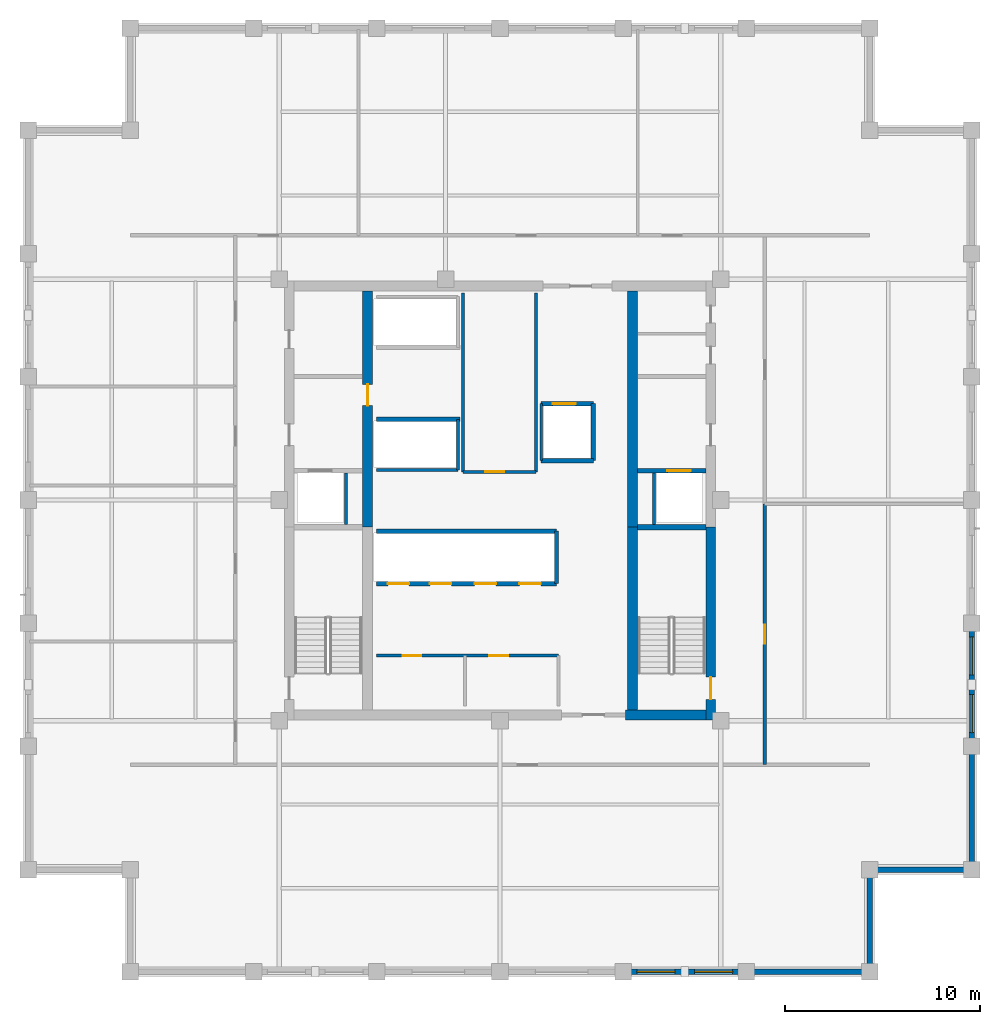
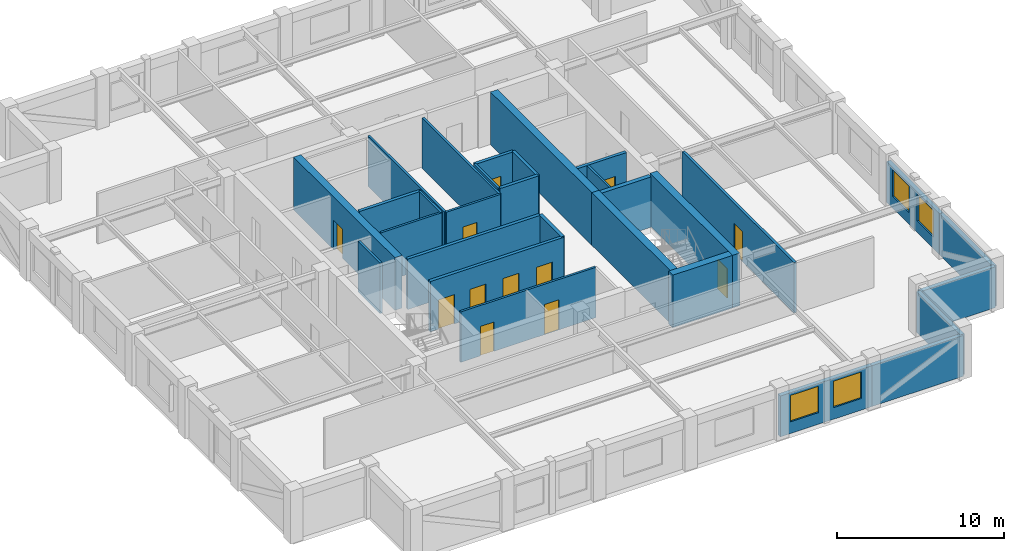
# One storey, part 6 of 9: 30 walls, 12 doors, 4 windows, 16 openings.
"""IFC4 building model written with IfcOpenShell, lengths in metres."""

from ifc_helpers import new_model, si_unit, direction, frame, frame_2d, origin, place, context, subcontext, project, spatial, rectangle, extrude, material, layer, layer_set, type_object, element, fill, save


model = new_model("IFC4")

# Units and contexts
model_context = context("Model", 3, precision=1e-05, world=origin(), true_north=direction((0.0, 1.0)))
body_context = subcontext(model_context, "Body", "Model", "MODEL_VIEW")
ifc_project = project(units=[si_unit("LENGTHUNIT", "METRE"), si_unit("AREAUNIT", "SQUARE_METRE"), si_unit("VOLUMEUNIT", "CUBIC_METRE"), si_unit("PLANEANGLEUNIT", "RADIAN"), si_unit("MASSUNIT", "GRAM", prefix="KILO")], contexts=[model_context])

# Site, building, storey
site_placement = place(None, origin())
site = spatial("IfcSite", under=ifc_project, at=site_placement, CompositionType="ELEMENT")
building_placement = place(site_placement, origin())
building = spatial("IfcBuilding", under=site, at=building_placement, Name="Nhamokura Convention Tower", CompositionType="ELEMENT")
storey_placement = place(building_placement, frame((0.0, 0.0, 190.75)))
storey = spatial("IfcBuildingStorey", under=building, at=storey_placement, Name="L46", CompositionType="ELEMENT", Elevation=190.75)

# Wall, openings, windows
ifc_material_1 = material(Name="Bronze-pigmented precast concrete C45/55", Category="concrete")
ifc_layer_1 = layer(ifc_material_1, 0.280029296875)
ifc_layer_set_1 = layer_set([ifc_layer_1], Name="BronzePrecastSpandrel_280")
wall_type_1 = type_object("IfcWallType", Name="BronzePrecastSpandrel_280", PredefinedType="USERDEFINED", material=ifc_layer_set_1)
wall_1_placement = place(storey_placement, frame((44.666748046875, 7.75, 0.0), z_axis=(0.0, 0.0, 1.0), x_axis=(-1.0, 0.0, 0.0)))
wall_1 = element("IfcWall", 1, at=wall_1_placement, inside=storey, type_object=wall_type_1, Name="L46 Masonry-Frame Wall SOUTH 4", ObjectType="SPANDREL_WALL", PredefinedType="USERDEFINED", context=body_context, shape_type="SweptSolid", body=[
    extrude(rectangle(XDim=6.33349609375, YDim=0.280029296875, at=frame_2d((3.166748046875, 0.0))), origin(), (0.0, 0.0, 1.0), 2.985107421875),
])
opening_1_placement = place(wall_1_placement, frame((0.708251953125, 0.0, 0.85009765625)))
opening_1 = element("IfcOpeningElement", 2, at=opening_1_placement, cuts=wall_1, Name="Opening W-08", PredefinedType="OPENING", context=body_context, shape_type="SweptSolid", body=[
    extrude(rectangle(XDim=1.949951171875, YDim=1.93505859375, at=frame_2d((0.97509765625, 0.967529296875))), frame((0.0, 0.14990234375, 0.0), z_axis=(0.0, -1.0, 0.0), x_axis=(1.0, 0.0, 0.0)), (0.0, 0.0, 1.0), 0.300048828125),
])
opening_2_placement = place(wall_1_placement, frame((3.675048828125, 0.0, 0.85009765625)))
opening_2 = element("IfcOpeningElement", 3, at=opening_2_placement, cuts=wall_1, Name="Opening W-08", PredefinedType="OPENING", context=body_context, shape_type="SweptSolid", body=[
    extrude(rectangle(XDim=1.949951171875, YDim=1.93505859375, at=frame_2d((0.97509765625, 0.967529296875))), frame((0.0, 0.14990234375, 0.0), z_axis=(0.0, -1.0, 0.0), x_axis=(1.0, 0.0, 0.0)), (0.0, 0.0, 1.0), 0.300048828125),
])
ifc_material_2 = material(Name="Solar-control bronze low-E double glass", Category="glass")
window_type = type_object("IfcWindowType", Name="OfficeModuleWindow_Z3_1950", PartitioningType="SINGLE_PANEL", PredefinedType="WINDOW", material=ifc_material_2)
window_1_placement = place(opening_1_placement, origin())
window_1 = element("IfcWindow", 4, at=window_1_placement, inside=storey, type_object=window_type, Name="L46 Facade Window SOUTH 4-1", OverallHeight=1.93505859375, OverallWidth=1.949951171875, PartitioningType="SINGLE_PANEL", PredefinedType="WINDOW", context=body_context, shape_type="SweptSolid", body=[
    extrude(rectangle(XDim=1.949951171875, YDim=1.93505859375, at=frame_2d((0.97509765625, 0.967529296875))), frame((0.0, 0.030029296875, 0.0), z_axis=(0.0, -1.0, 0.0), x_axis=(1.0, 0.0, 0.0)), (0.0, 0.0, 1.0), 0.06005859375),
])
fill(opening_1, window_1)
window_2_placement = place(opening_2_placement, origin())
window_2 = element("IfcWindow", 5, at=window_2_placement, inside=storey, type_object=window_type, Name="L46 Facade Window SOUTH 4-2", OverallHeight=1.93505859375, OverallWidth=1.949951171875, PartitioningType="SINGLE_PANEL", PredefinedType="WINDOW", context=body_context, shape_type="SweptSolid", body=[
    extrude(rectangle(XDim=1.949951171875, YDim=1.93505859375, at=frame_2d((0.97509765625, 0.967529296875))), frame((0.0, 0.030029296875, 0.0), z_axis=(0.0, -1.0, 0.0), x_axis=(1.0, 0.0, 0.0)), (0.0, 0.0, 1.0), 0.06005859375),
])
fill(opening_2, window_2)

# Walls
for number, where, z_axis, x_axis, name in (
    (6, (51.0, 7.75, 0.0), (0.0, 0.0, 1.0), (-1.0, 0.0, 0.0), "L46 Braced-Bay Precast Wall SOUTH 5"),
    (7, (56.25, 19.333251953125, 0.0), (0.0, 0.0, 1.0), (0.0, -1.0, 0.0), "L46 Braced-Bay Precast Wall EAST 0"),
):
    element("IfcWall", number, at=place(storey_placement, frame(where, z_axis=z_axis, x_axis=x_axis)), inside=storey, type_object=wall_type_1, Name=name, ObjectType="SPANDREL_WALL", PredefinedType="USERDEFINED", context=body_context, shape_type="SweptSolid", body=[
        extrude(rectangle(XDim=6.333251953125, YDim=0.280029296875, at=frame_2d((3.16650390625, 0.0))), origin(), (0.0, 0.0, 1.0), 2.985107421875),
    ])

# Wall, openings, windows
wall_2_placement = place(storey_placement, frame((56.25, 25.666748046875, 0.0), z_axis=(0.0, 0.0, 1.0), x_axis=(0.0, -1.0, 0.0)))
wall_2 = element("IfcWall", 8, at=wall_2_placement, inside=storey, type_object=wall_type_1, Name="L46 Masonry-Frame Wall EAST 1", ObjectType="SPANDREL_WALL", PredefinedType="USERDEFINED", context=body_context, shape_type="SweptSolid", body=[
    extrude(rectangle(XDim=6.33349609375, YDim=0.280029296875, at=frame_2d((3.166748046875, 0.0))), origin(), (0.0, 0.0, 1.0), 2.985107421875),
])
opening_3_placement = place(wall_2_placement, frame((0.708251953125, 0.0, 0.85009765625)))
opening_3 = element("IfcOpeningElement", 9, at=opening_3_placement, cuts=wall_2, Name="Opening W-08", PredefinedType="OPENING", context=body_context, shape_type="SweptSolid", body=[
    extrude(rectangle(XDim=1.949951171875, YDim=1.93505859375, at=frame_2d((0.97509765625, 0.967529296875))), frame((0.0, 0.14990234375, 0.0), z_axis=(0.0, -1.0, 0.0), x_axis=(1.0, 0.0, 0.0)), (0.0, 0.0, 1.0), 0.300048828125),
])
opening_4_placement = place(wall_2_placement, frame((3.675048828125, 0.0, 0.85009765625)))
opening_4 = element("IfcOpeningElement", 10, at=opening_4_placement, cuts=wall_2, Name="Opening W-08", PredefinedType="OPENING", context=body_context, shape_type="SweptSolid", body=[
    extrude(rectangle(XDim=1.949951171875, YDim=1.93505859375, at=frame_2d((0.97509765625, 0.967529296875))), frame((0.0, 0.14990234375, 0.0), z_axis=(0.0, -1.0, 0.0), x_axis=(1.0, 0.0, 0.0)), (0.0, 0.0, 1.0), 0.300048828125),
])
window_3_placement = place(opening_3_placement, origin())
window_3 = element("IfcWindow", 11, at=window_3_placement, inside=storey, type_object=window_type, Name="L46 Facade Window EAST 1-1", OverallHeight=1.93505859375, OverallWidth=1.949951171875, PartitioningType="SINGLE_PANEL", PredefinedType="WINDOW", context=body_context, shape_type="SweptSolid", body=[
    extrude(rectangle(XDim=1.949951171875, YDim=1.93505859375, at=frame_2d((0.97509765625, 0.967529296875))), frame((0.0, 0.030029296875, 0.0), z_axis=(0.0, -1.0, 0.0), x_axis=(1.0, 0.0, 0.0)), (0.0, 0.0, 1.0), 0.06005859375),
])
fill(opening_3, window_3)
window_4_placement = place(opening_4_placement, origin())
window_4 = element("IfcWindow", 12, at=window_4_placement, inside=storey, type_object=window_type, Name="L46 Facade Window EAST 1-2", OverallHeight=1.93505859375, OverallWidth=1.949951171875, PartitioningType="SINGLE_PANEL", PredefinedType="WINDOW", context=body_context, shape_type="SweptSolid", body=[
    extrude(rectangle(XDim=1.949951171875, YDim=1.93505859375, at=frame_2d((0.97509765625, 0.967529296875))), frame((0.0, 0.030029296875, 0.0), z_axis=(0.0, -1.0, 0.0), x_axis=(1.0, 0.0, 0.0)), (0.0, 0.0, 1.0), 0.06005859375),
])
fill(opening_4, window_4)

# Walls
for number, where, z_axis, x_axis, name in (
    (13, (51.0, 13.0, 0.0), (0.0, 0.0, 1.0), (0.0, -1.0, 0.0), "L46 Notched Corner Wall SE1"),
    (14, (56.25, 13.0, 0.0), (0.0, 0.0, 1.0), (-1.0, 0.0, 0.0), "L46 Notched Corner Wall SE2"),
):
    element("IfcWall", number, at=place(storey_placement, frame(where, z_axis=z_axis, x_axis=x_axis)), inside=storey, type_object=wall_type_1, Name=name, ObjectType="SPANDREL_WALL", PredefinedType="USERDEFINED", context=body_context, shape_type="SweptSolid", body=[
        extrude(rectangle(XDim=5.25, YDim=0.280029296875, at=frame_2d((2.625, 0.0))), origin(), (0.0, 0.0, 1.0), 2.985107421875),
    ])

# Wall, opening, door
ifc_material_3 = material(Name="Concrete C60/75", Category="concrete")
ifc_layer_2 = layer(ifc_material_3, 0.5)
ifc_layer_set_2 = layer_set([ifc_layer_2], Name="CoreShearWall_500")
wall_type_2 = type_object("IfcWallType", Name="CoreShearWall_500", PredefinedType="SHEAR", material=ifc_layer_set_2)
wall_3_placement = place(storey_placement, frame((42.840087890625, 20.699951171875, 0.0), z_axis=(0.0, 0.0, 1.0), x_axis=(0.0, 1.0, 0.0)))
wall_3 = element("IfcWall", 15, at=wall_3_placement, inside=storey, type_object=wall_type_2, Name="L46 Core Shear Wall CW-ES", PredefinedType="SHEAR", context=body_context, shape_type="SweptSolid", body=[
    extrude(rectangle(XDim=9.900146484375, YDim=0.5, at=frame_2d((4.9501953125, 0.0))), origin(), (0.0, 0.0, 1.0), 3.85009765625),
])
opening_5_placement = place(wall_3_placement, frame((1.050048828125, 0.0, 0.0)))
opening_5 = element("IfcOpeningElement", 16, at=opening_5_placement, cuts=wall_3, Name="Opening D-04", PredefinedType="OPENING", context=body_context, shape_type="SweptSolid", body=[
    extrude(rectangle(XDim=1.14990234375, YDim=2.14990234375, at=frame_2d((0.574951171875, 1.074951171875))), frame((0.0, 0.260009765625, 0.0), z_axis=(0.0, -1.0, 0.0), x_axis=(1.0, 0.0, 0.0)), (0.0, 0.0, 1.0), 0.52001953125),
])
ifc_material_4 = material(Name="Fire-rated steel door", Category="steel")
door_type_1 = type_object("IfcDoorType", Name="StairSmokeDoor_1150", OperationType="NOTDEFINED", PredefinedType="DOOR", material=ifc_material_4)
door_1_placement = place(opening_5_placement, origin())
door_1 = element("IfcDoor", 17, at=door_1_placement, inside=storey, type_object=door_type_1, Name="L46 Core Door INT-L46-D-ST02", OperationType="SINGLE_SWING_RIGHT", OverallHeight=2.14990234375, OverallWidth=1.14990234375, PredefinedType="DOOR", context=body_context, shape_type="SweptSolid", body=[
    extrude(rectangle(XDim=1.14990234375, YDim=2.14990234375, at=frame_2d((0.574951171875, 1.074951171875))), frame((0.0, 0.02490234375, 0.0), z_axis=(0.0, -1.0, 0.0), x_axis=(1.0, 0.0, 0.0)), (0.0, 0.0, 1.0), 0.050048828125),
])
fill(opening_5, door_1)

# Wall
wall_4_placement = place(storey_placement, frame((38.449951171875, 20.949951171875, 0.0), z_axis=(0.0, 0.0, 1.0), x_axis=(1.0, 0.0, 0.0)))
element("IfcWall", 18, at=wall_4_placement, inside=storey, type_object=wall_type_2, Name="L46 Core Shear Wall CW-S2", PredefinedType="SHEAR", context=body_context, shape_type="SweptSolid", body=[
    extrude(rectangle(XDim=4.14013671875, YDim=0.5, at=frame_2d((2.070068359375, 0.0))), origin(), (0.0, 0.0, 1.0), 3.85009765625),
])

# Wall, opening, door
wall_5_placement = place(storey_placement, frame((25.18994140625, 30.60009765625, 0.0), z_axis=(0.0, 0.0, 1.0), x_axis=(0.0, 1.0, 0.0)))
wall_5 = element("IfcWall", 19, at=wall_5_placement, inside=storey, type_object=wall_type_2, Name="L46 Core Shear Wall CW-IWN", PredefinedType="SHEAR", context=body_context, shape_type="SweptSolid", body=[
    extrude(rectangle(XDim=12.14990234375, YDim=0.5, at=frame_2d((6.074951171875, 0.0))), origin(), (0.0, 0.0, 1.0), 3.85009765625),
])
opening_6_placement = place(wall_5_placement, frame((6.25, 0.0, 0.0)))
opening_6 = element("IfcOpeningElement", 20, at=opening_6_placement, cuts=wall_5, Name="Opening D-05", PredefinedType="OPENING", context=body_context, shape_type="SweptSolid", body=[
    extrude(rectangle(XDim=1.10009765625, YDim=2.14990234375, at=frame_2d((0.550048828125, 1.074951171875))), frame((0.0, 0.260009765625, 0.0), z_axis=(0.0, -1.0, 0.0), x_axis=(1.0, 0.0, 0.0)), (0.0, 0.0, 1.0), 0.52001953125),
])
ifc_material_5 = material(Name="Fire-rated steel door", Category="steel")
door_type_2 = type_object("IfcDoorType", Name="FireLobbyDoor_1100", OperationType="NOTDEFINED", PredefinedType="DOOR", material=ifc_material_5)
door_2_placement = place(opening_6_placement, origin())
door_2 = element("IfcDoor", 21, at=door_2_placement, inside=storey, type_object=door_type_2, Name="L46 Core Door INT-L46-D-B3LOB", OperationType="SINGLE_SWING_LEFT", OverallHeight=2.14990234375, OverallWidth=1.10009765625, PredefinedType="DOOR", context=body_context, shape_type="SweptSolid", body=[
    extrude(rectangle(XDim=1.10009765625, YDim=2.14990234375, at=frame_2d((0.550048828125, 1.074951171875))), frame((0.0, 0.02490234375, 0.0), z_axis=(0.0, -1.0, 0.0), x_axis=(1.0, 0.0, 0.0)), (0.0, 0.0, 1.0), 0.050048828125),
])
fill(opening_6, door_2)

# Walls
wall_6_placement = place(storey_placement, frame((38.81005859375, 21.199951171875, 0.0), z_axis=(0.0, 0.0, 1.0), x_axis=(0.0, 1.0, 0.0)))
element("IfcWall", 22, at=wall_6_placement, inside=storey, type_object=wall_type_2, Name="L46 Core Shear Wall CW-IES", PredefinedType="SHEAR", context=body_context, shape_type="SweptSolid", body=[
    extrude(rectangle(XDim=9.400146484375, YDim=0.5, at=frame_2d((4.7001953125, 0.0))), origin(), (0.0, 0.0, 1.0), 3.85009765625),
])
wall_7_placement = place(storey_placement, frame((38.81005859375, 30.60009765625, 0.0), z_axis=(0.0, 0.0, 1.0), x_axis=(0.0, 1.0, 0.0)))
element("IfcWall", 23, at=wall_7_placement, inside=storey, type_object=wall_type_2, Name="L46 Core Shear Wall CW-IEN", PredefinedType="SHEAR", context=body_context, shape_type="SweptSolid", body=[
    extrude(rectangle(XDim=12.14990234375, YDim=0.5, at=frame_2d((6.074951171875, 0.0))), origin(), (0.0, 0.0, 1.0), 3.85009765625),
])

# Wall, opening, door
ifc_material_6 = material(Name="Fire-rated gypsum and masonry partition", Category="masonry")
ifc_layer_3 = layer(ifc_material_6, 0.179931640625)
ifc_layer_set_3 = layer_set([ifc_layer_3], Name="CorridorRatedWall_180")
wall_type_3 = type_object("IfcWallType", Name="CorridorRatedWall_180", PredefinedType="STANDARD", material=ifc_layer_set_3)
wall_8_placement = place(storey_placement, frame((45.60009765625, 18.39990234375, 0.0), z_axis=(0.0, 0.0, 1.0), x_axis=(0.0, 1.0, 0.0)))
wall_8 = element("IfcWall", 24, at=wall_8_placement, inside=storey, type_object=wall_type_3, Name="L46 Wall INT-L46-CW-E00", PredefinedType="STANDARD", context=body_context, shape_type="SweptSolid", body=[
    extrude(rectangle(XDim=13.400146484375, YDim=0.179931640625, at=frame_2d((6.7001953125, 0.0))), origin(), (0.0, 0.0, 1.0), 3.68505859375),
])
opening_7_placement = place(wall_8_placement, frame((6.199951171875, 0.0, 0.0)))
opening_7 = element("IfcOpeningElement", 25, at=opening_7_placement, cuts=wall_8, Name="Opening D-08", PredefinedType="OPENING", context=body_context, shape_type="SweptSolid", body=[
    extrude(rectangle(XDim=0.97998046875, YDim=2.199951171875, at=frame_2d((0.489990234375, 1.10009765625))), frame((0.0, 0.099853515625, 0.0), z_axis=(0.0, -1.0, 0.0), x_axis=(1.0, 0.0, 0.0)), (0.0, 0.0, 1.0), 0.199951171875),
])
ifc_material_7 = material(Name="Solid oak hardwood", Category="wood")
door_type_3 = type_object("IfcDoorType", Name="OfficeEntryDoor_980", OperationType="NOTDEFINED", PredefinedType="DOOR", material=ifc_material_7)
door_3_placement = place(opening_7_placement, origin())
door_3 = element("IfcDoor", 26, at=door_3_placement, inside=storey, type_object=door_type_3, Name="L46 Staff Lounge E01 Door", OperationType="SINGLE_SWING_LEFT", OverallHeight=2.199951171875, OverallWidth=0.97998046875, PredefinedType="DOOR", context=body_context, shape_type="SweptSolid", body=[
    extrude(rectangle(XDim=0.97998046875, YDim=2.199951171875, at=frame_2d((0.489990234375, 1.10009765625))), frame((0.0, 0.02490234375, 0.0), z_axis=(0.0, -1.0, 0.0), x_axis=(1.0, 0.0, 0.0)), (0.0, 0.0, 1.0), 0.050048828125),
])
fill(opening_7, door_3)

ifc_material_8 = material(Name="Autoclaved concrete blockwork", Category="masonry")
ifc_layer_4 = layer(ifc_material_8, 0.219970703125)
ifc_layer_set_4 = layer_set([ifc_layer_4], Name="FireLobbyWall_220")
wall_type_4 = type_object("IfcWallType", Name="FireLobbyWall_220", PredefinedType="STANDARD", material=ifc_layer_set_4)
wall_9_placement = place(storey_placement, frame((39.06005859375, 33.5, 0.0), z_axis=(0.0, 0.0, 1.0), x_axis=(1.0, 0.0, 0.0)))
wall_9 = element("IfcWall", 27, at=wall_9_placement, inside=storey, type_object=wall_type_4, Name="L46 Wall INT-L46-FFE-S", PredefinedType="STANDARD", context=body_context, shape_type="SweptSolid", body=[
    extrude(rectangle(XDim=3.530029296875, YDim=0.219970703125, at=frame_2d((1.76513671875, 0.0))), origin(), (0.0, 0.0, 1.0), 3.68505859375),
])
opening_8_placement = place(wall_9_placement, frame((1.550048828125, 0.0, 0.0)))
opening_8 = element("IfcOpeningElement", 28, at=opening_8_placement, cuts=wall_9, Name="Opening LD-02", PredefinedType="OPENING", context=body_context, shape_type="SweptSolid", body=[
    extrude(rectangle(XDim=1.199951171875, YDim=2.199951171875, at=frame_2d((0.60009765625, 1.10009765625))), frame((0.0, 0.119873046875, 0.0), z_axis=(0.0, -1.0, 0.0), x_axis=(1.0, 0.0, 0.0)), (0.0, 0.0, 1.0), 0.239990234375),
])
ifc_material_9 = material(Name="Anodised bronze stainless steel", Category="steel")
door_type_4 = type_object("IfcDoorType", Name="LiftLandingDoor_FireService", OperationType="DOUBLE_DOOR_SLIDING", PredefinedType="DOOR", material=ifc_material_9)
door_4_placement = place(opening_8_placement, origin())
door_4 = element("IfcDoor", 29, at=door_4_placement, inside=storey, type_object=door_type_4, Name="L46 Firefighting Lift LF-02 Door", OperationType="DOUBLE_DOOR_SLIDING", OverallHeight=2.199951171875, OverallWidth=1.199951171875, PredefinedType="DOOR", context=body_context, shape_type="SweptSolid", body=[
    extrude(rectangle(XDim=1.199951171875, YDim=2.199951171875, at=frame_2d((0.60009765625, 1.10009765625))), frame((0.0, 0.02490234375, 0.0), z_axis=(0.0, -1.0, 0.0), x_axis=(1.0, 0.0, 0.0)), (0.0, 0.0, 1.0), 0.050048828125),
])
fill(opening_8, door_4)

# Wall, openings, doors
wall_10_placement = place(storey_placement, frame((25.64990234375, 27.699951171875, 0.0), z_axis=(0.0, 0.0, 1.0), x_axis=(1.0, 0.0, 0.0)))
wall_10 = element("IfcWall", 30, at=wall_10_placement, inside=storey, type_object=wall_type_4, Name="L46 Wall INT-L46-B2S", PredefinedType="STANDARD", context=body_context, shape_type="SweptSolid", body=[
    extrude(rectangle(XDim=9.25, YDim=0.219970703125, at=frame_2d((4.625, 0.0))), origin(), (0.0, 0.0, 1.0), 3.68505859375),
])
opening_9_placement = place(wall_10_placement, frame((0.580078125, 0.0, 0.0)))
opening_9 = element("IfcOpeningElement", 31, at=opening_9_placement, cuts=wall_10, Name="Opening LD-01", PredefinedType="OPENING", context=body_context, shape_type="SweptSolid", body=[
    extrude(rectangle(XDim=1.10009765625, YDim=2.14990234375, at=frame_2d((0.550048828125, 1.074951171875))), frame((0.0, 0.119873046875, 0.0), z_axis=(0.0, -1.0, 0.0), x_axis=(1.0, 0.0, 0.0)), (0.0, 0.0, 1.0), 0.239990234375),
])
opening_10_placement = place(wall_10_placement, frame((2.75, 0.0, 0.0)))
opening_10 = element("IfcOpeningElement", 32, at=opening_10_placement, cuts=wall_10, Name="Opening LD-01", PredefinedType="OPENING", context=body_context, shape_type="SweptSolid", body=[
    extrude(rectangle(XDim=1.10009765625, YDim=2.14990234375, at=frame_2d((0.550048828125, 1.074951171875))), frame((0.0, 0.119873046875, 0.0), z_axis=(0.0, -1.0, 0.0), x_axis=(1.0, 0.0, 0.0)), (0.0, 0.0, 1.0), 0.239990234375),
])
opening_11_placement = place(wall_10_placement, frame((5.050048828125, 0.0, 0.0)))
opening_11 = element("IfcOpeningElement", 33, at=opening_11_placement, cuts=wall_10, Name="Opening LD-01", PredefinedType="OPENING", context=body_context, shape_type="SweptSolid", body=[
    extrude(rectangle(XDim=1.10009765625, YDim=2.14990234375, at=frame_2d((0.550048828125, 1.074951171875))), frame((0.0, 0.119873046875, 0.0), z_axis=(0.0, -1.0, 0.0), x_axis=(1.0, 0.0, 0.0)), (0.0, 0.0, 1.0), 0.239990234375),
])
opening_12_placement = place(wall_10_placement, frame((7.35009765625, 0.0, 0.0)))
opening_12 = element("IfcOpeningElement", 34, at=opening_12_placement, cuts=wall_10, Name="Opening LD-01", PredefinedType="OPENING", context=body_context, shape_type="SweptSolid", body=[
    extrude(rectangle(XDim=1.10009765625, YDim=2.14990234375, at=frame_2d((0.550048828125, 1.074951171875))), frame((0.0, 0.119873046875, 0.0), z_axis=(0.0, -1.0, 0.0), x_axis=(1.0, 0.0, 0.0)), (0.0, 0.0, 1.0), 0.239990234375),
])
ifc_material_10 = material(Name="Anodised bronze stainless steel", Category="steel")
door_type_5 = type_object("IfcDoorType", Name="LiftLandingDoor_Passenger", OperationType="DOUBLE_DOOR_SLIDING", PredefinedType="DOOR", material=ifc_material_10)
door_5_placement = place(opening_9_placement, origin())
door_5 = element("IfcDoor", 35, at=door_5_placement, inside=storey, type_object=door_type_5, Name="L46 Lift LP-05 Landing Door", OperationType="DOUBLE_DOOR_SLIDING", OverallHeight=2.14990234375, OverallWidth=1.10009765625, PredefinedType="DOOR", context=body_context, shape_type="SweptSolid", body=[
    extrude(rectangle(XDim=1.10009765625, YDim=2.14990234375, at=frame_2d((0.550048828125, 1.074951171875))), frame((0.0, 0.02490234375, 0.0), z_axis=(0.0, -1.0, 0.0), x_axis=(1.0, 0.0, 0.0)), (0.0, 0.0, 1.0), 0.050048828125),
])
fill(opening_9, door_5)
door_6_placement = place(opening_10_placement, origin())
door_6 = element("IfcDoor", 36, at=door_6_placement, inside=storey, type_object=door_type_5, Name="L46 Lift LP-06 Landing Door", OperationType="DOUBLE_DOOR_SLIDING", OverallHeight=2.14990234375, OverallWidth=1.10009765625, PredefinedType="DOOR", context=body_context, shape_type="SweptSolid", body=[
    extrude(rectangle(XDim=1.10009765625, YDim=2.14990234375, at=frame_2d((0.550048828125, 1.074951171875))), frame((0.0, 0.02490234375, 0.0), z_axis=(0.0, -1.0, 0.0), x_axis=(1.0, 0.0, 0.0)), (0.0, 0.0, 1.0), 0.050048828125),
])
fill(opening_10, door_6)
door_7_placement = place(opening_11_placement, origin())
door_7 = element("IfcDoor", 37, at=door_7_placement, inside=storey, type_object=door_type_5, Name="L46 Lift LP-07 Landing Door", OperationType="DOUBLE_DOOR_SLIDING", OverallHeight=2.14990234375, OverallWidth=1.10009765625, PredefinedType="DOOR", context=body_context, shape_type="SweptSolid", body=[
    extrude(rectangle(XDim=1.10009765625, YDim=2.14990234375, at=frame_2d((0.550048828125, 1.074951171875))), frame((0.0, 0.02490234375, 0.0), z_axis=(0.0, -1.0, 0.0), x_axis=(1.0, 0.0, 0.0)), (0.0, 0.0, 1.0), 0.050048828125),
])
fill(opening_11, door_7)
door_8_placement = place(opening_12_placement, origin())
door_8 = element("IfcDoor", 38, at=door_8_placement, inside=storey, type_object=door_type_5, Name="L46 Lift LP-08 Landing Door", OperationType="DOUBLE_DOOR_SLIDING", OverallHeight=2.14990234375, OverallWidth=1.10009765625, PredefinedType="DOOR", context=body_context, shape_type="SweptSolid", body=[
    extrude(rectangle(XDim=1.10009765625, YDim=2.14990234375, at=frame_2d((0.550048828125, 1.074951171875))), frame((0.0, 0.02490234375, 0.0), z_axis=(0.0, -1.0, 0.0), x_axis=(1.0, 0.0, 0.0)), (0.0, 0.0, 1.0), 0.050048828125),
])
fill(opening_12, door_8)

# Walls
wall_11_placement = place(storey_placement, frame((25.64990234375, 30.39990234375, 0.0), z_axis=(0.0, 0.0, 1.0), x_axis=(1.0, 0.0, 0.0)))
element("IfcWall", 39, at=wall_11_placement, inside=storey, type_object=wall_type_4, Name="L46 Wall INT-L46-B2N", PredefinedType="STANDARD", context=body_context, shape_type="SweptSolid", body=[
    extrude(rectangle(XDim=9.25, YDim=0.219970703125, at=frame_2d((4.625, 0.0))), origin(), (0.0, 0.0, 1.0), 3.68505859375),
])
wall_12_placement = place(storey_placement, frame((34.89990234375, 27.699951171875, 0.0), z_axis=(0.0, 0.0, 1.0), x_axis=(0.0, 1.0, 0.0)))
element("IfcWall", 40, at=wall_12_placement, inside=storey, type_object=wall_type_4, Name="L46 Wall INT-L46-B2E", PredefinedType="STANDARD", context=body_context, shape_type="SweptSolid", body=[
    extrude(rectangle(XDim=2.699951171875, YDim=0.219970703125, at=frame_2d((1.35009765625, 0.0))), origin(), (0.0, 0.0, 1.0), 3.68505859375),
])
wall_13_placement = place(storey_placement, frame((25.64990234375, 36.14990234375, 0.0), z_axis=(0.0, 0.0, 1.0), x_axis=(1.0, 0.0, 0.0)))
element("IfcWall", 41, at=wall_13_placement, inside=storey, type_object=wall_type_4, Name="L46 Wall INT-L46-B3S", PredefinedType="STANDARD", context=body_context, shape_type="SweptSolid", body=[
    extrude(rectangle(XDim=4.300048828125, YDim=0.219970703125, at=frame_2d((2.14990234375, 0.0))), origin(), (0.0, 0.0, 1.0), 3.68505859375),
])

# Wall, opening, door
wall_14_placement = place(storey_placement, frame((34.1201171875, 36.949951171875, 0.0), z_axis=(0.0, 0.0, 1.0), x_axis=(1.0, 0.0, 0.0)))
wall_14 = element("IfcWall", 42, at=wall_14_placement, inside=storey, type_object=wall_type_4, Name="L46 Wall INT-L46-LSN", PredefinedType="STANDARD", context=body_context, shape_type="SweptSolid", body=[
    extrude(rectangle(XDim=2.679931640625, YDim=0.219970703125, at=frame_2d((1.33984375, 0.0))), origin(), (0.0, 0.0, 1.0), 3.68505859375),
])
opening_13_placement = place(wall_14_placement, frame((0.580078125, 0.0, 0.0)))
opening_13 = element("IfcOpeningElement", 43, at=opening_13_placement, cuts=wall_14, Name="Opening LD-02", PredefinedType="OPENING", context=body_context, shape_type="SweptSolid", body=[
    extrude(rectangle(XDim=1.199951171875, YDim=2.199951171875, at=frame_2d((0.60009765625, 1.10009765625))), frame((0.0, 0.119873046875, 0.0), z_axis=(0.0, -1.0, 0.0), x_axis=(1.0, 0.0, 0.0)), (0.0, 0.0, 1.0), 0.239990234375),
])
door_9_placement = place(opening_13_placement, origin())
door_9 = element("IfcDoor", 44, at=door_9_placement, inside=storey, type_object=door_type_4, Name="L46 Service Lift LS-01 Door", OperationType="DOUBLE_DOOR_SLIDING", OverallHeight=2.199951171875, OverallWidth=1.199951171875, PredefinedType="DOOR", context=body_context, shape_type="SweptSolid", body=[
    extrude(rectangle(XDim=1.199951171875, YDim=2.199951171875, at=frame_2d((0.60009765625, 1.10009765625))), frame((0.0, 0.02490234375, 0.0), z_axis=(0.0, -1.0, 0.0), x_axis=(1.0, 0.0, 0.0)), (0.0, 0.0, 1.0), 0.050048828125),
])
fill(opening_13, door_9)

# Walls
wall_15_placement = place(storey_placement, frame((36.800048828125, 34.02001953125, 0.0), z_axis=(0.0, 0.0, 1.0), x_axis=(0.0, 1.0, 0.0)))
element("IfcWall", 45, at=wall_15_placement, inside=storey, type_object=wall_type_4, Name="L46 Wall INT-L46-LSE", PredefinedType="STANDARD", context=body_context, shape_type="SweptSolid", body=[
    extrude(rectangle(XDim=2.929931640625, YDim=0.219970703125, at=frame_2d((1.46484375, 0.0))), origin(), (0.0, 0.0, 1.0), 3.68505859375),
])
wall_16_placement = place(storey_placement, frame((34.1201171875, 34.02001953125, 0.0), z_axis=(0.0, 0.0, 1.0), x_axis=(1.0, 0.0, 0.0)))
element("IfcWall", 46, at=wall_16_placement, inside=storey, type_object=wall_type_4, Name="L46 Wall INT-L46-LSS", PredefinedType="STANDARD", context=body_context, shape_type="SweptSolid", body=[
    extrude(rectangle(XDim=2.679931640625, YDim=0.219970703125, at=frame_2d((1.33984375, 0.0))), origin(), (0.0, 0.0, 1.0), 3.68505859375),
])
ifc_material_11 = material(Name="Acoustic gypsum stud partition", Category="masonry")
ifc_layer_5 = layer(ifc_material_11, 0.14990234375)
ifc_layer_set_5 = layer_set([ifc_layer_5], Name="InteriorPartition_150")
wall_type_5 = type_object("IfcWallType", Name="InteriorPartition_150", PredefinedType="STANDARD", material=ifc_layer_set_5)
for number, where, z_axis, x_axis, name in (
    (47, (24.080078125, 30.75, 0.0), (0.0, 0.0, 1.0), (0.0, 1.0, 0.0), "L46 Wall INT-L46-FF1-E"),
    (48, (39.919921875, 30.75, 0.0), (0.0, 0.0, 1.0), (0.0, 1.0, 0.0), "L46 Wall INT-L46-FF2-W"),
):
    element("IfcWall", number, at=place(storey_placement, frame(where, z_axis=z_axis, x_axis=x_axis)), inside=storey, type_object=wall_type_5, Name=name, PredefinedType="STANDARD", context=body_context, shape_type="SweptSolid", body=[
        extrude(rectangle(XDim=2.64990234375, YDim=0.14990234375, at=frame_2d((1.324951171875, 0.0))), origin(), (0.0, 0.0, 1.0), 3.68505859375),
    ])

# Wall, openings, doors
wall_17_placement = place(storey_placement, frame((25.64990234375, 24.0, 0.0), z_axis=(0.0, 0.0, 1.0), x_axis=(1.0, 0.0, 0.0)))
wall_17 = element("IfcWall", 49, at=wall_17_placement, inside=storey, type_object=wall_type_5, Name="L46 Wall INT-L46-B1R-N", PredefinedType="STANDARD", context=body_context, shape_type="SweptSolid", body=[
    extrude(rectangle(XDim=9.35009765625, YDim=0.14990234375, at=frame_2d((4.675048828125, 0.0))), origin(), (0.0, 0.0, 1.0), 3.68505859375),
])
opening_14_placement = place(wall_17_placement, frame((1.35009765625, 0.0, 0.0)))
opening_14 = element("IfcOpeningElement", 50, at=opening_14_placement, cuts=wall_17, Name="Opening D-09", PredefinedType="OPENING", context=body_context, shape_type="SweptSolid", body=[
    extrude(rectangle(XDim=0.949951171875, YDim=2.14990234375, at=frame_2d((0.47509765625, 1.074951171875))), frame((0.0, 0.0849609375, 0.0), z_axis=(0.0, -1.0, 0.0), x_axis=(1.0, 0.0, 0.0)), (0.0, 0.0, 1.0), 0.169921875),
])
opening_15_placement = place(wall_17_placement, frame((5.800048828125, 0.0, 0.0)))
opening_15 = element("IfcOpeningElement", 51, at=opening_15_placement, cuts=wall_17, Name="Opening D-08", PredefinedType="OPENING", context=body_context, shape_type="SweptSolid", body=[
    extrude(rectangle(XDim=0.97998046875, YDim=2.199951171875, at=frame_2d((0.489990234375, 1.10009765625))), frame((0.0, 0.0849609375, 0.0), z_axis=(0.0, -1.0, 0.0), x_axis=(1.0, 0.0, 0.0)), (0.0, 0.0, 1.0), 0.169921875),
])
ifc_material_12 = material(Name="Solid oak hardwood", Category="wood")
door_type_6 = type_object("IfcDoorType", Name="MeetingRoomDoor_950", OperationType="NOTDEFINED", PredefinedType="DOOR", material=ifc_material_12)
door_10_placement = place(opening_14_placement, origin())
door_10 = element("IfcDoor", 52, at=door_10_placement, inside=storey, type_object=door_type_6, Name="L46 Reclaimed Briefing Room Door", OperationType="SINGLE_SWING_LEFT", OverallHeight=2.14990234375, OverallWidth=0.949951171875, PredefinedType="DOOR", context=body_context, shape_type="SweptSolid", body=[
    extrude(rectangle(XDim=0.949951171875, YDim=2.14990234375, at=frame_2d((0.47509765625, 1.074951171875))), frame((0.0, 0.02490234375, 0.0), z_axis=(0.0, -1.0, 0.0), x_axis=(1.0, 0.0, 0.0)), (0.0, 0.0, 1.0), 0.050048828125),
])
fill(opening_14, door_10)
door_11_placement = place(opening_15_placement, origin())
door_11 = element("IfcDoor", 53, at=door_11_placement, inside=storey, type_object=door_type_3, Name="L46 Reclaimed Hub Door", OperationType="SINGLE_SWING_RIGHT", OverallHeight=2.199951171875, OverallWidth=0.97998046875, PredefinedType="DOOR", context=body_context, shape_type="SweptSolid", body=[
    extrude(rectangle(XDim=0.97998046875, YDim=2.199951171875, at=frame_2d((0.489990234375, 1.10009765625))), frame((0.0, 0.02490234375, 0.0), z_axis=(0.0, -1.0, 0.0), x_axis=(1.0, 0.0, 0.0)), (0.0, 0.0, 1.0), 0.050048828125),
])
fill(opening_15, door_11)

# Walls
wall_18_placement = place(storey_placement, frame((25.64990234375, 33.550048828125, 0.0), z_axis=(0.0, 0.0, 1.0), x_axis=(1.0, 0.0, 0.0)))
element("IfcWall", 54, at=wall_18_placement, inside=storey, type_object=wall_type_5, Name="L46 Wall INT-L46-B3A-S", PredefinedType="STANDARD", context=body_context, shape_type="SweptSolid", body=[
    extrude(rectangle(XDim=4.2001953125, YDim=0.14990234375, at=frame_2d((2.10009765625, 0.0))), origin(), (0.0, 0.0, 1.0), 3.68505859375),
])
wall_19_placement = place(storey_placement, frame((29.85009765625, 33.550048828125, 0.0), z_axis=(0.0, 0.0, 1.0), x_axis=(0.0, 1.0, 0.0)))
element("IfcWall", 55, at=wall_19_placement, inside=storey, type_object=wall_type_5, Name="L46 Wall INT-L46-B3A-E", PredefinedType="STANDARD", context=body_context, shape_type="SweptSolid", body=[
    extrude(rectangle(XDim=2.599853515625, YDim=0.14990234375, at=frame_2d((1.2998046875, 0.0))), origin(), (0.0, 0.0, 1.0), 3.68505859375),
])
for number, where, z_axis, x_axis, name in (
    (56, (30.10009765625, 33.449951171875, 0.0), (0.0, 0.0, 1.0), (0.0, 1.0, 0.0), "L46 Wall INT-L46-ST03W"),
    (57, (33.85009765625, 33.449951171875, 0.0), (0.0, 0.0, 1.0), (0.0, 1.0, 0.0), "L46 Wall INT-L46-ST03E"),
):
    element("IfcWall", number, at=place(storey_placement, frame(where, z_axis=z_axis, x_axis=x_axis)), inside=storey, type_object=wall_type_5, Name=name, PredefinedType="STANDARD", context=body_context, shape_type="SweptSolid", body=[
        extrude(rectangle(XDim=9.199951171875, YDim=0.14990234375, at=frame_2d((4.60009765625, 0.0))), origin(), (0.0, 0.0, 1.0), 3.68505859375),
    ])

# Wall, opening, door
wall_20_placement = place(storey_placement, frame((30.10009765625, 33.449951171875, 0.0), z_axis=(0.0, 0.0, 1.0), x_axis=(1.0, 0.0, 0.0)))
wall_20 = element("IfcWall", 58, at=wall_20_placement, inside=storey, type_object=wall_type_5, Name="L46 Wall INT-L46-ST03S", PredefinedType="STANDARD", context=body_context, shape_type="SweptSolid", body=[
    extrude(rectangle(XDim=3.75, YDim=0.14990234375, at=frame_2d((1.875, 0.0))), origin(), (0.0, 0.0, 1.0), 3.68505859375),
])
opening_16_placement = place(wall_20_placement, frame((1.14990234375, 0.0, 0.0)))
opening_16 = element("IfcOpeningElement", 59, at=opening_16_placement, cuts=wall_20, Name="Opening D-08", PredefinedType="OPENING", context=body_context, shape_type="SweptSolid", body=[
    extrude(rectangle(XDim=0.97998046875, YDim=2.199951171875, at=frame_2d((0.489990234375, 1.10009765625))), frame((0.0, 0.0849609375, 0.0), z_axis=(0.0, -1.0, 0.0), x_axis=(1.0, 0.0, 0.0)), (0.0, 0.0, 1.0), 0.169921875),
])
door_12_placement = place(opening_16_placement, origin())
door_12 = element("IfcDoor", 60, at=door_12_placement, inside=storey, type_object=door_type_3, Name="L46 Wellness and Records Room Door", OperationType="SINGLE_SWING_LEFT", OverallHeight=2.199951171875, OverallWidth=0.97998046875, PredefinedType="DOOR", context=body_context, shape_type="SweptSolid", body=[
    extrude(rectangle(XDim=0.97998046875, YDim=2.199951171875, at=frame_2d((0.489990234375, 1.10009765625))), frame((0.0, 0.02490234375, 0.0), z_axis=(0.0, -1.0, 0.0), x_axis=(1.0, 0.0, 0.0)), (0.0, 0.0, 1.0), 0.050048828125),
])
fill(opening_16, door_12)

# Walls
wall_21_placement = place(storey_placement, frame((34.1201171875, 34.02001953125, 0.0), z_axis=(0.0, 0.0, 1.0), x_axis=(0.0, 1.0, 0.0)))
element("IfcWall", 61, at=wall_21_placement, inside=storey, type_object=wall_type_5, Name="L46 Wall INT-L46-LSW", PredefinedType="STANDARD", context=body_context, shape_type="SweptSolid", body=[
    extrude(rectangle(XDim=2.929931640625, YDim=0.14990234375, at=frame_2d((1.46484375, 0.0))), origin(), (0.0, 0.0, 1.0), 3.68505859375),
])
ifc_material_13 = material(Name="Concrete C50/60", Category="concrete")
ifc_layer_6 = layer(ifc_material_13, 0.300048828125)
ifc_layer_set_6 = layer_set([ifc_layer_6], Name="ShaftEnclosureWall_300")
wall_type_6 = type_object("IfcWallType", Name="ShaftEnclosureWall_300", PredefinedType="SHEAR", material=ifc_layer_set_6)
wall_22_placement = place(storey_placement, frame((39.06005859375, 30.60009765625, 0.0), z_axis=(0.0, 0.0, 1.0), x_axis=(1.0, 0.0, 0.0)))
element("IfcWall", 62, at=wall_22_placement, inside=storey, type_object=wall_type_6, Name="L46 Wall INT-L46-ST02-N", PredefinedType="SHEAR", context=body_context, shape_type="SweptSolid", body=[
    extrude(rectangle(XDim=3.530029296875, YDim=0.300048828125, at=frame_2d((1.76513671875, 0.0))), origin(), (0.0, 0.0, 1.0), 3.68505859375),
])

save(model, "model.ifc")
